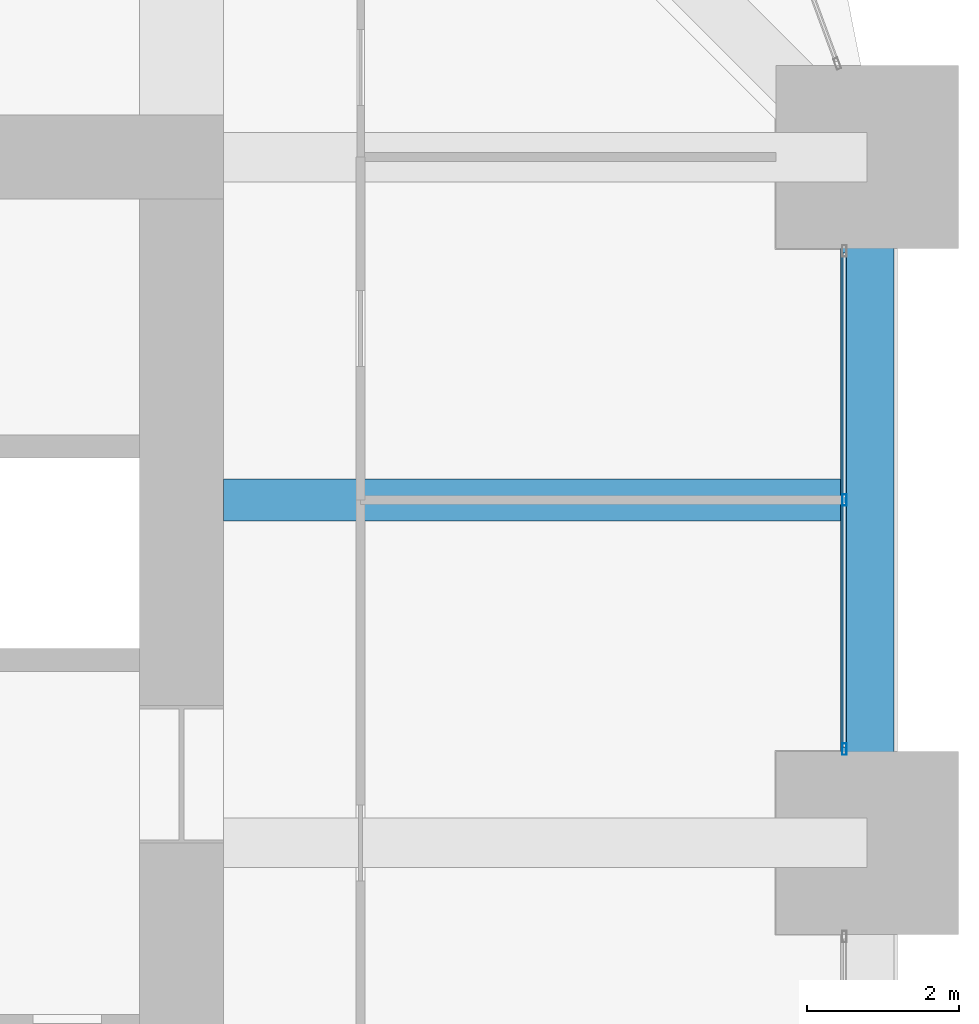
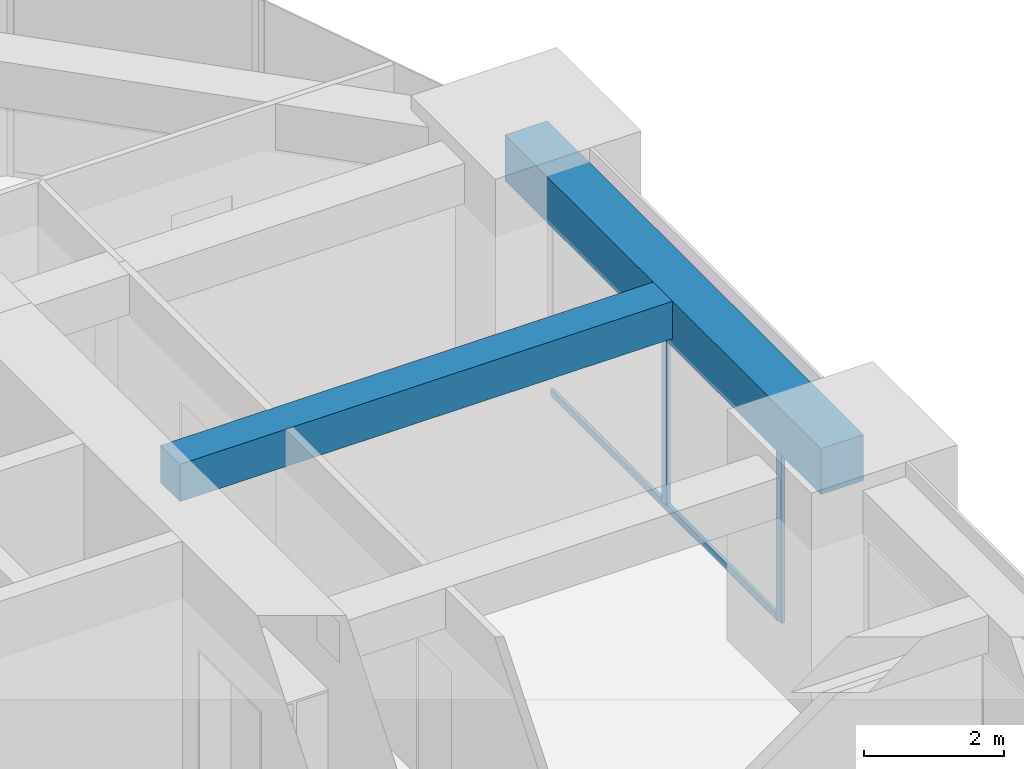
# One storey, part 19 of 32: 3 members, 2 beams, 1 element without a shape of its own.
"""IFC4 building model written with IfcOpenShell, lengths in metres."""

import ifcopenshell
import ifcopenshell.guid

model = None  # the IFC model being written
_history = None  # IfcOwnerHistory: only IFC2X3 demands one
_inside = {}  # id of a spatial element -> (the spatial element, [elements in it])
_under = {}  # id of a project, library or spatial element -> (it, [spatial elements below it])
_declared = {}  # id of a project -> (the project, [libraries it declares])
_typed = {}  # id of a type object -> (the type object, [elements of that type])
_made_of = {}  # id of a material, layer set ... -> (it, [elements and type objects made of it])


def new_model(schema):
    """Start an empty IFC model of exactly this schema.

    Asked for "IFC4X3", IfcOpenShell would pick the latest addendum, in which some entities
    have other attributes; the version numbers below select the first issue.
    IFC2X3 requires an IfcOwnerHistory on every rooted entity: one is made here for all.
    """
    global model, _history
    if schema == "IFC4X3":
        model = ifcopenshell.file(schema_version=(4, 3, 0, 0))
    else:
        model = ifcopenshell.file(schema=schema)
    _inside.clear()
    _under.clear()
    _declared.clear()
    _typed.clear()
    _made_of.clear()
    _history = None
    if model.schema == "IFC2X3":
        org = make("IfcOrganization", Name="unknown")
        user = make(
            "IfcPersonAndOrganization",
            ThePerson=make("IfcPerson", FamilyName="unknown"),
            TheOrganization=org,
        )
        app = make(
            "IfcApplication",
            ApplicationDeveloper=org,
            Version="unknown",
            ApplicationFullName="unknown",
            ApplicationIdentifier="unknown",
        )
        _history = make(
            "IfcOwnerHistory",
            OwningUser=user,
            OwningApplication=app,
            ChangeAction="ADDED",
            CreationDate=0,
        )
    return model


def make(cls, **values):
    """One entity of the class cls with the attributes given. An attribute that is None is left unset."""
    return model.create_entity(
        cls, **{name: value for name, value in values.items() if value is not None}
    )


def rooted(cls, **values):
    """An entity with a GlobalId (a new one), such as an element, a storey or a relation."""
    return make(cls, GlobalId=ifcopenshell.guid.new(), OwnerHistory=_history, **values)


def si_unit(unit_type, name, prefix=None):
    """IfcSIUnit, for example si_unit("LENGTHUNIT", "METRE", prefix="MILLI")."""
    return make("IfcSIUnit", UnitType=unit_type, Prefix=prefix, Name=name)


def assignment(units):
    """IfcUnitAssignment: the units of a project."""
    return None if units is None else make("IfcUnitAssignment", Units=units)


def point(xyz):
    """IfcCartesianPoint."""
    return None if xyz is None else make("IfcCartesianPoint", Coordinates=xyz)


def direction(xyz):
    """IfcDirection."""
    return None if xyz is None else make("IfcDirection", DirectionRatios=xyz)


def frame(location, z_axis=None, x_axis=None):
    """IfcAxis2Placement3D, a coordinate frame: its origin and axes. An axis left out is left unset."""
    return make(
        "IfcAxis2Placement3D",
        Location=point(location),
        Axis=direction(z_axis),
        RefDirection=direction(x_axis),
    )


def frame_2d(location, x_axis=None):
    """IfcAxis2Placement2D, a coordinate frame in the plane: its origin and x axis."""
    return make(
        "IfcAxis2Placement2D", Location=point(location), RefDirection=direction(x_axis)
    )


def origin():
    """The frame at (0, 0, 0) with its axes left unset."""
    return frame((0.0, 0.0, 0.0))


def origin_2d():
    """The frame at (0, 0) in the plane with its x axis left unset."""
    return frame_2d((0.0, 0.0))


def place(relative_to, where):
    """IfcLocalPlacement: puts the frame where relative to a parent placement (None: the world)."""
    return make(
        "IfcLocalPlacement", PlacementRelTo=relative_to, RelativePlacement=where
    )


def context(
    kind, dimensions, precision=None, world=None, true_north=None, identifier=None
):
    """IfcGeometricRepresentationContext, for example the 3D "Model" context."""
    return make(
        "IfcGeometricRepresentationContext",
        ContextIdentifier=identifier,
        ContextType=kind,
        CoordinateSpaceDimension=dimensions,
        Precision=precision,
        WorldCoordinateSystem=world,
        TrueNorth=true_north,
    )


def subcontext(parent, identifier, kind, view, scale=None):
    """IfcGeometricRepresentationSubContext, for example "Body" below "Model"."""
    return make(
        "IfcGeometricRepresentationSubContext",
        ContextIdentifier=identifier,
        ContextType=kind,
        ParentContext=parent,
        TargetScale=scale,
        TargetView=view,
    )


def project(units=None, contexts=None):
    """IfcProject with its units and contexts."""
    return rooted(
        "IfcProject",
        Name="project",
        RepresentationContexts=contexts,
        UnitsInContext=assignment(units),
    )


def spatial(cls, under=None, at=None, **own):
    """A site, building, storey or space (cls), placed at a placement, below another one or the project."""
    s = rooted(cls, ObjectPlacement=at, **own)
    if under is not None:
        _under.setdefault(under.id(), (under, []))[1].append(s)
    return s


def profile(cls, at=None, kind="AREA", **sizes):
    """A parametric profile (cls). Its sizes go by their IFC names, for example OverallWidth=200.0."""
    return make(cls, ProfileType=kind, Position=at, **sizes)


def rectangle(**sizes):
    """IfcRectangleProfileDef."""
    return profile("IfcRectangleProfileDef", **sizes)


def hollow_rectangle(**sizes):
    """IfcRectangleHollowProfileDef."""
    return profile("IfcRectangleHollowProfileDef", **sizes)


def extrude(swept, where, along, depth):
    """IfcExtrudedAreaSolid: the profile swept, set in the frame where, extruded along a direction by depth."""
    return make(
        "IfcExtrudedAreaSolid",
        SweptArea=swept,
        Position=where,
        ExtrudedDirection=direction(along),
        Depth=depth,
    )


def shape(context_of_items, identifier, shape_type, items):
    """IfcShapeRepresentation: the items that make up one representation, for example the "Body"."""
    return make(
        "IfcShapeRepresentation",
        ContextOfItems=context_of_items,
        RepresentationIdentifier=identifier,
        RepresentationType=shape_type,
        Items=items,
    )


def material(Name=None, Category=None):
    """IfcMaterial."""
    return make("IfcMaterial", Name=Name, Category=Category)


def material_profile(
    of_material, cross_section, Name=None, Category=None, Priority=None
):
    """IfcMaterialProfile: a cross section and its material."""
    return make(
        "IfcMaterialProfile",
        Name=Name,
        Material=of_material,
        Profile=cross_section,
        Priority=Priority,
        Category=Category,
    )


def profile_set(profiles, Name=None, composite=None):
    """IfcMaterialProfileSet."""
    return make(
        "IfcMaterialProfileSet",
        Name=Name,
        MaterialProfiles=profiles,
        CompositeProfile=composite,
    )


def made_of(thing, what):
    """Note that an element or type object is made of a material, layer set ...; save() writes the relation."""
    if what is not None:
        _made_of.setdefault(what.id(), (what, []))[1].append(thing)
    return thing


def type_object(cls, material=None, **own):
    """A type object (cls), such as IfcWallType, which elements share."""
    return made_of(rooted(cls, **own), material)


def element(
    cls,
    number,
    at=None,
    inside=None,
    cuts=None,
    type_object=None,
    material=None,
    context=None,
    identifier="Body",
    shape_type=None,
    held_by="IfcProductDefinitionShape",
    body=None,
    shapes=None,
    **own,
):
    """One element of the class cls, such as IfcWall. Its Tag is "e" and its number.

    at: its placement. inside: the storey or other place that contains it. cuts: it is an
    opening in that element (IfcRelVoidsElement). A single representation is given by context,
    identifier, shape_type and body (its items); several are given by shapes. held_by: the class
    of the entity that holds the representations. save() writes the other relations.
    """
    e = rooted(cls, Tag="e%d" % number, ObjectPlacement=at, **own)
    if body is not None:
        shapes = [shape(context, identifier, shape_type, body)]
    if shapes is not None:
        e.Representation = make(held_by, Representations=shapes)
    if inside is not None:
        _inside.setdefault(inside.id(), (inside, []))[1].append(e)
    if cuts is not None:
        rooted(
            "IfcRelVoidsElement", RelatingBuildingElement=cuts, RelatedOpeningElement=e
        )
    if type_object is not None:
        _typed.setdefault(type_object.id(), (type_object, []))[1].append(e)
    return made_of(e, material)


def aggregate(whole, parts):
    """IfcRelAggregates: a whole, such as a stair, and the parts it consists of."""
    return rooted("IfcRelAggregates", RelatingObject=whole, RelatedObjects=parts)


def save(model, path):
    """Write the relations noted so far, then the file.

    IfcRelAggregates (storeys below a building ...), IfcRelContainedInSpatialStructure (elements
    in a storey), IfcRelDefinesByType, IfcRelAssociatesMaterial and IfcRelDeclares: one each for
    every whole, place, type object, material and project.
    """
    for whole, parts in _under.values():
        aggregate(whole, parts)
    for where, things in _inside.values():
        rooted(
            "IfcRelContainedInSpatialStructure",
            RelatedElements=things,
            RelatingStructure=where,
        )
    for kind, things in _typed.values():
        rooted("IfcRelDefinesByType", RelatedObjects=things, RelatingType=kind)
    for what, things in _made_of.values():
        rooted("IfcRelAssociatesMaterial", RelatedObjects=things, RelatingMaterial=what)
    for by, libraries in _declared.values():
        rooted("IfcRelDeclares", RelatingContext=by, RelatedDefinitions=libraries)
    model.write(path)


model = new_model("IFC4")

# Units and contexts
model_context = context("Model", 3, precision=1e-05, world=origin(), true_north=direction((0.0, 1.0)))
body_context = subcontext(model_context, "Body", "Model", "MODEL_VIEW")
ifc_project = project(units=[si_unit("LENGTHUNIT", "METRE"), si_unit("AREAUNIT", "SQUARE_METRE"), si_unit("VOLUMEUNIT", "CUBIC_METRE"), si_unit("PLANEANGLEUNIT", "RADIAN"), si_unit("MASSUNIT", "GRAM", prefix="KILO")], contexts=[model_context])

# Site, building, storey
site_placement = place(None, origin())
site = spatial("IfcSite", under=ifc_project, at=site_placement, CompositionType="ELEMENT")
building_placement = place(site_placement, origin())
building = spatial("IfcBuilding", under=site, at=building_placement, Name="Zorevar Civic Tower", CompositionType="ELEMENT")
storey_placement = place(building_placement, frame((0.0, 0.0, 182.199951171875)))
storey = spatial("IfcBuildingStorey", under=building, at=storey_placement, Name="L44", CompositionType="ELEMENT", Elevation=182.199951171875)

# Beam
ifc_material_1 = material(Name="Concrete C50/60", Category="concrete")
ifc_material_profile_1 = material_profile(ifc_material_1, rectangle(XDim=0.550048828125, YDim=0.64990234375, at=origin_2d()), Name="RC 550x650")
ifc_profile_set_1 = profile_set([ifc_material_profile_1], Name="Concrete C50/60")
beam_type_1 = type_object("IfcBeamType", Name="Beam RC 550x650", PredefinedType="BEAM", material=ifc_profile_set_1)
beam_1_placement = place(storey_placement, frame((45.550048828125, 31.5, 3.425048828125), z_axis=(1.0, 0.0, 0.0), x_axis=(0.0, 1.0, 0.0)))
element("IfcBeam", 1, at=beam_1_placement, inside=storey, type_object=beam_type_1, Name="Secondary beam L45", PredefinedType="BEAM", context=body_context, shape_type="SweptSolid", body=[
    extrude(rectangle(XDim=0.550048828125, YDim=0.64990234375, at=origin_2d()), origin(), (0.0, 0.0, 1.0), 8.099853515625),
])

# Curtain wall, members
ifc_material_2 = material(Name="Dark grey solar-control glass in black aluminium frame", Category="aluminium")
curtain_wall_type = type_object("IfcCurtainWallType", Name="Curtain wall CW4 high zone", PredefinedType="NOTDEFINED", material=ifc_material_2)
curtain_wall_placement = place(storey_placement, origin())
curtain_wall = element("IfcCurtainWall", 2, at=curtain_wall_placement, inside=storey, type_object=curtain_wall_type, Name="CW4 L44", PredefinedType="NOTDEFINED")
ifc_material_3 = material(Name="Aluminium, black anodised", Category="aluminium")
ifc_material_profile_2 = material_profile(ifc_material_3, hollow_rectangle(XDim=0.06005859375, YDim=0.14990234375, WallThickness=0.00390625, at=origin_2d()), Name="AL 150x60x4")
ifc_profile_set_2 = profile_set([ifc_material_profile_2], Name="Aluminium, black anodised")
member_type_1 = type_object("IfcMemberType", Name="CW4 mullion AL 150x60x4", PredefinedType="MULLION", material=ifc_profile_set_2)
member_1_placement = place(storey_placement, frame((53.699951171875, 28.22998046875, 0.0), z_axis=(0.0, 0.0, 1.0), x_axis=(-1.0, 0.0, 0.0)))
member_1 = element("IfcMember", 3, at=member_1_placement, type_object=member_type_1, Name="CW4 mullion 1", PredefinedType="MULLION", context=body_context, shape_type="SweptSolid", body=[
    extrude(hollow_rectangle(XDim=0.06005859375, YDim=0.14990234375, WallThickness=0.00390625, at=origin_2d()), origin(), (0.0, 0.0, 1.0), 2.949951171875),
])
member_2_placement = place(storey_placement, frame((53.699951171875, 31.5, 0.06005859375), z_axis=(0.0, 0.0, 1.0), x_axis=(-1.0, 0.0, 0.0)))
member_2 = element("IfcMember", 4, at=member_2_placement, type_object=member_type_1, Name="CW4 mullion 2", PredefinedType="MULLION", context=body_context, shape_type="SweptSolid", body=[
    extrude(hollow_rectangle(XDim=0.06005859375, YDim=0.14990234375, WallThickness=0.00390625, at=origin_2d()), origin(), (0.0, 0.0, 1.0), 2.889892578125),
])
ifc_material_4 = material(Name="Aluminium, black anodised", Category="aluminium")
ifc_material_profile_3 = material_profile(ifc_material_4, hollow_rectangle(XDim=0.06005859375, YDim=0.1201171875, WallThickness=0.0029296875, at=origin_2d()), Name="AL 120x60x3")
ifc_profile_set_3 = profile_set([ifc_material_profile_3], Name="Aluminium, black anodised")
member_type_2 = type_object("IfcMemberType", Name="CW4 transom AL 120x60x3", PredefinedType="USERDEFINED", material=ifc_profile_set_3)
member_3_placement = place(storey_placement, frame((53.699951171875, 28.260009765625, 0.030029296875), z_axis=(0.0, 1.0, 0.0), x_axis=(-1.0, 0.0, 0.0)))
member_3 = element("IfcMember", 5, at=member_3_placement, type_object=member_type_2, Name="CW4 sill transom", ObjectType="TRANSOM", PredefinedType="USERDEFINED", context=body_context, shape_type="SweptSolid", body=[
    extrude(hollow_rectangle(XDim=0.06005859375, YDim=0.1201171875, WallThickness=0.0029296875, at=origin_2d()), origin(), (0.0, 0.0, 1.0), 6.47998046875),
])
aggregate(curtain_wall, [member_1, member_2, member_3])

# Beam
ifc_material_5 = material(Name="Concrete C50/60", Category="concrete")
ifc_material_profile_4 = material_profile(ifc_material_5, rectangle(XDim=0.699951171875, YDim=0.800048828125, at=origin_2d()), Name="RC 700x800")
ifc_profile_set_4 = profile_set([ifc_material_profile_4], Name="Concrete C50/60")
beam_type_2 = type_object("IfcBeamType", Name="Edge beam RC 700x800", PredefinedType="SPANDREL", material=ifc_profile_set_4)
beam_2_placement = place(storey_placement, frame((54.0, 27.0, 3.35009765625), z_axis=(0.0, 1.0, 0.0), x_axis=(-1.0, 0.0, 0.0)))
element("IfcBeam", 6, at=beam_2_placement, inside=storey, type_object=beam_type_2, Name="Edge beam L45", PredefinedType="SPANDREL", context=body_context, shape_type="SweptSolid", body=[
    extrude(rectangle(XDim=0.699951171875, YDim=0.800048828125, at=origin_2d()), origin(), (0.0, 0.0, 1.0), 9.0),
])

save(model, "model.ifc")
